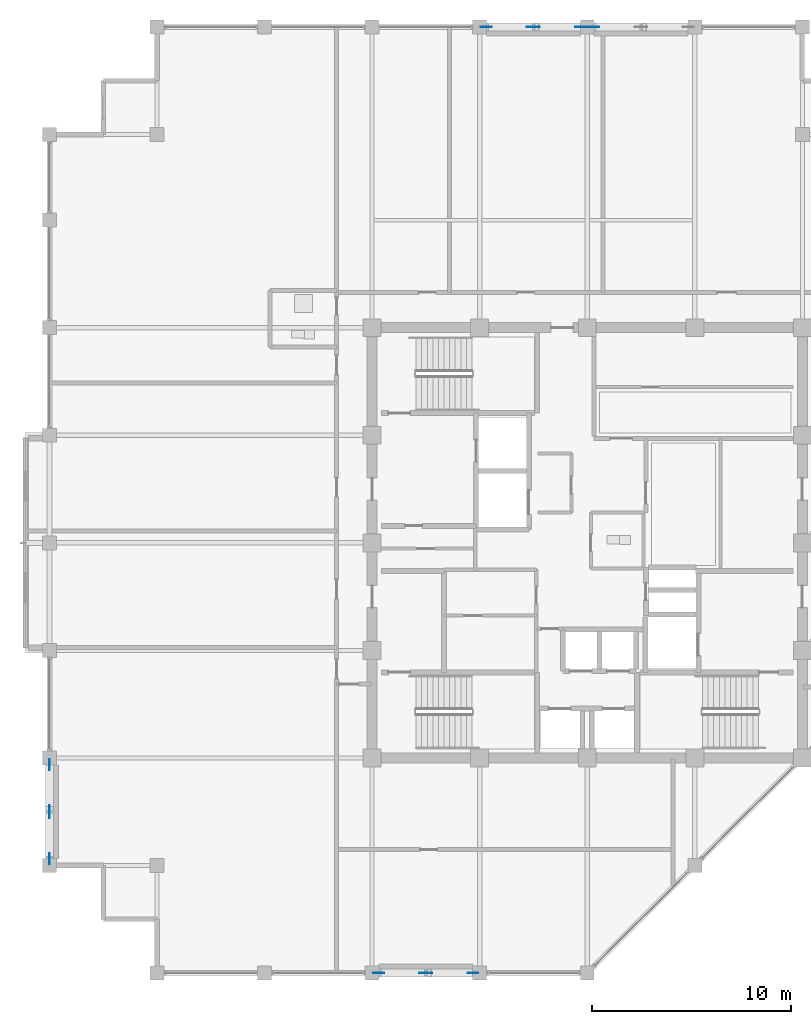
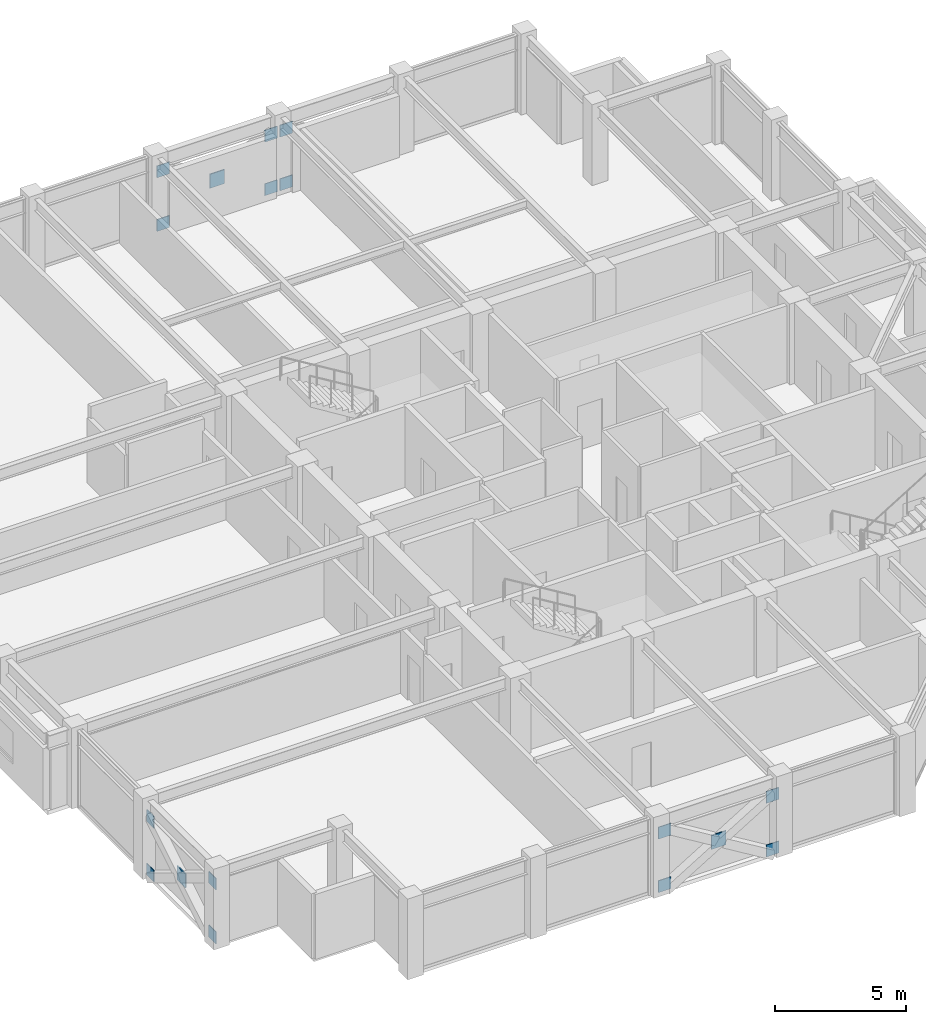
# One storey, part 21 of 29: 17 plates.
"""IFC4 building model written with IfcOpenShell, lengths in metres."""

import ifcopenshell
import ifcopenshell.guid

model = None  # the IFC model being written
_history = None  # IfcOwnerHistory: only IFC2X3 demands one
_inside = {}  # id of a spatial element -> (the spatial element, [elements in it])
_under = {}  # id of a project, library or spatial element -> (it, [spatial elements below it])
_declared = {}  # id of a project -> (the project, [libraries it declares])
_typed = {}  # id of a type object -> (the type object, [elements of that type])
_made_of = {}  # id of a material, layer set ... -> (it, [elements and type objects made of it])


def new_model(schema):
    """Start an empty IFC model of exactly this schema.

    Asked for "IFC4X3", IfcOpenShell would pick the latest addendum, in which some entities
    have other attributes; the version numbers below select the first issue.
    IFC2X3 requires an IfcOwnerHistory on every rooted entity: one is made here for all.
    """
    global model, _history
    if schema == "IFC4X3":
        model = ifcopenshell.file(schema_version=(4, 3, 0, 0))
    else:
        model = ifcopenshell.file(schema=schema)
    _inside.clear()
    _under.clear()
    _declared.clear()
    _typed.clear()
    _made_of.clear()
    _history = None
    if model.schema == "IFC2X3":
        org = make("IfcOrganization", Name="unknown")
        user = make(
            "IfcPersonAndOrganization",
            ThePerson=make("IfcPerson", FamilyName="unknown"),
            TheOrganization=org,
        )
        app = make(
            "IfcApplication",
            ApplicationDeveloper=org,
            Version="unknown",
            ApplicationFullName="unknown",
            ApplicationIdentifier="unknown",
        )
        _history = make(
            "IfcOwnerHistory",
            OwningUser=user,
            OwningApplication=app,
            ChangeAction="ADDED",
            CreationDate=0,
        )
    return model


def make(cls, **values):
    """One entity of the class cls with the attributes given. An attribute that is None is left unset."""
    return model.create_entity(
        cls, **{name: value for name, value in values.items() if value is not None}
    )


def rooted(cls, **values):
    """An entity with a GlobalId (a new one), such as an element, a storey or a relation."""
    return make(cls, GlobalId=ifcopenshell.guid.new(), OwnerHistory=_history, **values)


def si_unit(unit_type, name, prefix=None):
    """IfcSIUnit, for example si_unit("LENGTHUNIT", "METRE", prefix="MILLI")."""
    return make("IfcSIUnit", UnitType=unit_type, Prefix=prefix, Name=name)


def assignment(units):
    """IfcUnitAssignment: the units of a project."""
    return None if units is None else make("IfcUnitAssignment", Units=units)


def point(xyz):
    """IfcCartesianPoint."""
    return None if xyz is None else make("IfcCartesianPoint", Coordinates=xyz)


def direction(xyz):
    """IfcDirection."""
    return None if xyz is None else make("IfcDirection", DirectionRatios=xyz)


def frame(location, z_axis=None, x_axis=None):
    """IfcAxis2Placement3D, a coordinate frame: its origin and axes. An axis left out is left unset."""
    return make(
        "IfcAxis2Placement3D",
        Location=point(location),
        Axis=direction(z_axis),
        RefDirection=direction(x_axis),
    )


def frame_2d(location, x_axis=None):
    """IfcAxis2Placement2D, a coordinate frame in the plane: its origin and x axis."""
    return make(
        "IfcAxis2Placement2D", Location=point(location), RefDirection=direction(x_axis)
    )


def origin():
    """The frame at (0, 0, 0) with its axes left unset."""
    return frame((0.0, 0.0, 0.0))


def origin_2d():
    """The frame at (0, 0) in the plane with its x axis left unset."""
    return frame_2d((0.0, 0.0))


def place(relative_to, where):
    """IfcLocalPlacement: puts the frame where relative to a parent placement (None: the world)."""
    return make(
        "IfcLocalPlacement", PlacementRelTo=relative_to, RelativePlacement=where
    )


def context(
    kind, dimensions, precision=None, world=None, true_north=None, identifier=None
):
    """IfcGeometricRepresentationContext, for example the 3D "Model" context."""
    return make(
        "IfcGeometricRepresentationContext",
        ContextIdentifier=identifier,
        ContextType=kind,
        CoordinateSpaceDimension=dimensions,
        Precision=precision,
        WorldCoordinateSystem=world,
        TrueNorth=true_north,
    )


def subcontext(parent, identifier, kind, view, scale=None):
    """IfcGeometricRepresentationSubContext, for example "Body" below "Model"."""
    return make(
        "IfcGeometricRepresentationSubContext",
        ContextIdentifier=identifier,
        ContextType=kind,
        ParentContext=parent,
        TargetScale=scale,
        TargetView=view,
    )


def project(units=None, contexts=None):
    """IfcProject with its units and contexts."""
    return rooted(
        "IfcProject",
        Name="project",
        RepresentationContexts=contexts,
        UnitsInContext=assignment(units),
    )


def spatial(cls, under=None, at=None, **own):
    """A site, building, storey or space (cls), placed at a placement, below another one or the project."""
    s = rooted(cls, ObjectPlacement=at, **own)
    if under is not None:
        _under.setdefault(under.id(), (under, []))[1].append(s)
    return s


def profile(cls, at=None, kind="AREA", **sizes):
    """A parametric profile (cls). Its sizes go by their IFC names, for example OverallWidth=200.0."""
    return make(cls, ProfileType=kind, Position=at, **sizes)


def rectangle(**sizes):
    """IfcRectangleProfileDef."""
    return profile("IfcRectangleProfileDef", **sizes)


def extrude(swept, where, along, depth):
    """IfcExtrudedAreaSolid: the profile swept, set in the frame where, extruded along a direction by depth."""
    return make(
        "IfcExtrudedAreaSolid",
        SweptArea=swept,
        Position=where,
        ExtrudedDirection=direction(along),
        Depth=depth,
    )


def shape(context_of_items, identifier, shape_type, items):
    """IfcShapeRepresentation: the items that make up one representation, for example the "Body"."""
    return make(
        "IfcShapeRepresentation",
        ContextOfItems=context_of_items,
        RepresentationIdentifier=identifier,
        RepresentationType=shape_type,
        Items=items,
    )


def material(Name=None, Category=None):
    """IfcMaterial."""
    return make("IfcMaterial", Name=Name, Category=Category)


def layer(
    of_material, thickness, ventilated=None, Name=None, Category=None, Priority=None
):
    """IfcMaterialLayer: one layer of a wall or slab, of a material (None: an air gap)."""
    return make(
        "IfcMaterialLayer",
        Material=of_material,
        LayerThickness=thickness,
        IsVentilated=ventilated,
        Name=Name,
        Category=Category,
        Priority=Priority,
    )


def layer_set(layers, Name=None):
    """IfcMaterialLayerSet."""
    return make("IfcMaterialLayerSet", MaterialLayers=layers, LayerSetName=Name)


def made_of(thing, what):
    """Note that an element or type object is made of a material, layer set ...; save() writes the relation."""
    if what is not None:
        _made_of.setdefault(what.id(), (what, []))[1].append(thing)
    return thing


def type_object(cls, material=None, **own):
    """A type object (cls), such as IfcWallType, which elements share."""
    return made_of(rooted(cls, **own), material)


def element(
    cls,
    number,
    at=None,
    inside=None,
    cuts=None,
    type_object=None,
    material=None,
    context=None,
    identifier="Body",
    shape_type=None,
    held_by="IfcProductDefinitionShape",
    body=None,
    shapes=None,
    **own,
):
    """One element of the class cls, such as IfcWall. Its Tag is "e" and its number.

    at: its placement. inside: the storey or other place that contains it. cuts: it is an
    opening in that element (IfcRelVoidsElement). A single representation is given by context,
    identifier, shape_type and body (its items); several are given by shapes. held_by: the class
    of the entity that holds the representations. save() writes the other relations.
    """
    e = rooted(cls, Tag="e%d" % number, ObjectPlacement=at, **own)
    if body is not None:
        shapes = [shape(context, identifier, shape_type, body)]
    if shapes is not None:
        e.Representation = make(held_by, Representations=shapes)
    if inside is not None:
        _inside.setdefault(inside.id(), (inside, []))[1].append(e)
    if cuts is not None:
        rooted(
            "IfcRelVoidsElement", RelatingBuildingElement=cuts, RelatedOpeningElement=e
        )
    if type_object is not None:
        _typed.setdefault(type_object.id(), (type_object, []))[1].append(e)
    return made_of(e, material)


def aggregate(whole, parts):
    """IfcRelAggregates: a whole, such as a stair, and the parts it consists of."""
    return rooted("IfcRelAggregates", RelatingObject=whole, RelatedObjects=parts)


def save(model, path):
    """Write the relations noted so far, then the file.

    IfcRelAggregates (storeys below a building ...), IfcRelContainedInSpatialStructure (elements
    in a storey), IfcRelDefinesByType, IfcRelAssociatesMaterial and IfcRelDeclares: one each for
    every whole, place, type object, material and project.
    """
    for whole, parts in _under.values():
        aggregate(whole, parts)
    for where, things in _inside.values():
        rooted(
            "IfcRelContainedInSpatialStructure",
            RelatedElements=things,
            RelatingStructure=where,
        )
    for kind, things in _typed.values():
        rooted("IfcRelDefinesByType", RelatedObjects=things, RelatingType=kind)
    for what, things in _made_of.values():
        rooted("IfcRelAssociatesMaterial", RelatedObjects=things, RelatingMaterial=what)
    for by, libraries in _declared.values():
        rooted("IfcRelDeclares", RelatingContext=by, RelatedDefinitions=libraries)
    model.write(path)


model = new_model("IFC4")

# Units and contexts
model_context = context("Model", 3, precision=1e-05, world=origin(), true_north=direction((0.0, 1.0)))
body_context = subcontext(model_context, "Body", "Model", "MODEL_VIEW")
ifc_project = project(units=[si_unit("LENGTHUNIT", "METRE"), si_unit("AREAUNIT", "SQUARE_METRE"), si_unit("VOLUMEUNIT", "CUBIC_METRE"), si_unit("PLANEANGLEUNIT", "RADIAN"), si_unit("MASSUNIT", "GRAM", prefix="KILO")], contexts=[model_context])

# Site, building, storey
site_placement = place(None, origin())
site = spatial("IfcSite", under=ifc_project, at=site_placement, CompositionType="ELEMENT")
building_placement = place(site_placement, origin())
building = spatial("IfcBuilding", under=site, at=building_placement, Name="Surkhivell Harbour Commons", CompositionType="ELEMENT")
storey_placement = place(building_placement, frame((0.0, 0.0, 273.75)))
storey = spatial("IfcBuildingStorey", under=building, at=storey_placement, Name="L71", CompositionType="ELEMENT", Elevation=273.75)

# Plates
ifc_material = material(Name="Steel S460", Category="steel")
ifc_layer_1 = layer(ifc_material, 0.035888671875)
ifc_layer_set_1 = layer_set([ifc_layer_1], Name="Steel S460")
plate_type_1 = type_object("IfcPlateType", Name="PLT-GUS-550", PredefinedType="USERDEFINED", material=ifc_layer_set_1)
for number, where, z_axis, x_axis, name in (
    (1, (-5.06494140625, 25.89990234375, -0.07470703125), (0.0, 0.0, 1.0), (1.0, 0.0, 0.0), "L71 Perimeter Mega-Brace MB- Corner Gusset N-1"),
    (2, (-0.3349609375, 25.89990234375, -0.07470703125), (0.0, 0.0, 1.0), (1.0, 0.0, 0.0), "L71 Perimeter Mega-Brace MB- Corner Gusset N-2"),
    (3, (-5.06494140625, 25.89990234375, 2.41357421875), (0.0, 0.0, 1.0), (1.0, 0.0, 0.0), "L71 Perimeter Mega-Brace MB- Corner Gusset N-3"),
    (4, (-0.3349609375, 25.89990234375, 2.41357421875), (0.0, 0.0, 1.0), (1.0, 0.0, 0.0), "L71 Perimeter Mega-Brace MB- Corner Gusset N-4"),
    (5, (0.3349609375, 25.89990234375, -0.07470703125), (0.0, 0.0, 1.0), (1.0, 0.0, 0.0), "L71 Perimeter Mega-Brace MB- Corner Gusset N2-1"),
    (6, (0.3349609375, 25.89990234375, 2.41357421875), (0.0, 0.0, 1.0), (1.0, 0.0, 0.0), "L71 Perimeter Mega-Brace MB- Corner Gusset N2-3"),
    (7, (-10.465087890625, -21.60009765625, -0.07470703125), (0.0, 0.0, 1.0), (1.0, 0.0, 0.0), "L71 Perimeter Mega-Brace MB- Corner Gusset S-1"),
    (8, (-5.735107421875, -21.60009765625, -0.07470703125), (0.0, 0.0, 1.0), (1.0, 0.0, 0.0), "L71 Perimeter Mega-Brace MB- Corner Gusset S-2"),
    (9, (-10.465087890625, -21.60009765625, 2.41357421875), (0.0, 0.0, 1.0), (1.0, 0.0, 0.0), "L71 Perimeter Mega-Brace MB- Corner Gusset S-3"),
    (10, (-5.735107421875, -21.60009765625, 2.41357421875), (0.0, 0.0, 1.0), (1.0, 0.0, 0.0), "L71 Perimeter Mega-Brace MB- Corner Gusset S-4"),
    (11, (-27.0, -15.864990234375, -0.07470703125), (0.0, 0.0, 1.0), (0.0, 1.0, 0.0), "L71 Perimeter Mega-Brace MB- Corner Gusset W-1"),
    (12, (-27.0, -11.135009765625, -0.07470703125), (0.0, 0.0, 1.0), (0.0, 1.0, 0.0), "L71 Perimeter Mega-Brace MB- Corner Gusset W-2"),
    (13, (-27.0, -15.864990234375, 2.41357421875), (0.0, 0.0, 1.0), (0.0, 1.0, 0.0), "L71 Perimeter Mega-Brace MB- Corner Gusset W-3"),
    (14, (-27.0, -11.135009765625, 2.41357421875), (0.0, 0.0, 1.0), (0.0, 1.0, 0.0), "L71 Perimeter Mega-Brace MB- Corner Gusset W-4"),
):
    element("IfcPlate", number, at=place(storey_placement, frame(where, z_axis=z_axis, x_axis=x_axis)), inside=storey, type_object=plate_type_1, Name=name, ObjectType="GUSSET_PLATE", PredefinedType="USERDEFINED", context=body_context, shape_type="SweptSolid", body=[
        extrude(rectangle(XDim=0.550048828125, YDim=0.035888671875, at=origin_2d()), origin(), (0.0, 0.0, 1.0), 0.550048828125),
    ])
ifc_layer_2 = layer(ifc_material, 0.044921875)
ifc_layer_set_2 = layer_set([ifc_layer_2], Name="Steel S460")
plate_type_2 = type_object("IfcPlateType", Name="PLT-GUS-650", PredefinedType="USERDEFINED", material=ifc_layer_set_2)
for number, where, z_axis, x_axis, name in (
    (15, (-2.699951171875, 25.89990234375, 1.11962890625), (0.0, 0.0, 1.0), (1.0, 0.0, 0.0), "L71 Perimeter Mega-Brace MB- Central Crossing Gusset N"),
    (16, (-8.10009765625, -21.60009765625, 1.11962890625), (0.0, 0.0, 1.0), (1.0, 0.0, 0.0), "L71 Perimeter Mega-Brace MB- Central Crossing Gusset S"),
    (17, (-27.0, -13.5, 1.11962890625), (0.0, 0.0, 1.0), (0.0, 1.0, 0.0), "L71 Perimeter Mega-Brace MB- Central Crossing Gusset W"),
):
    element("IfcPlate", number, at=place(storey_placement, frame(where, z_axis=z_axis, x_axis=x_axis)), inside=storey, type_object=plate_type_2, Name=name, ObjectType="GUSSET_PLATE", PredefinedType="USERDEFINED", context=body_context, shape_type="SweptSolid", body=[
        extrude(rectangle(XDim=0.64990234375, YDim=0.044921875, at=origin_2d()), origin(), (0.0, 0.0, 1.0), 0.64990234375),
    ])

save(model, "model.ifc")
